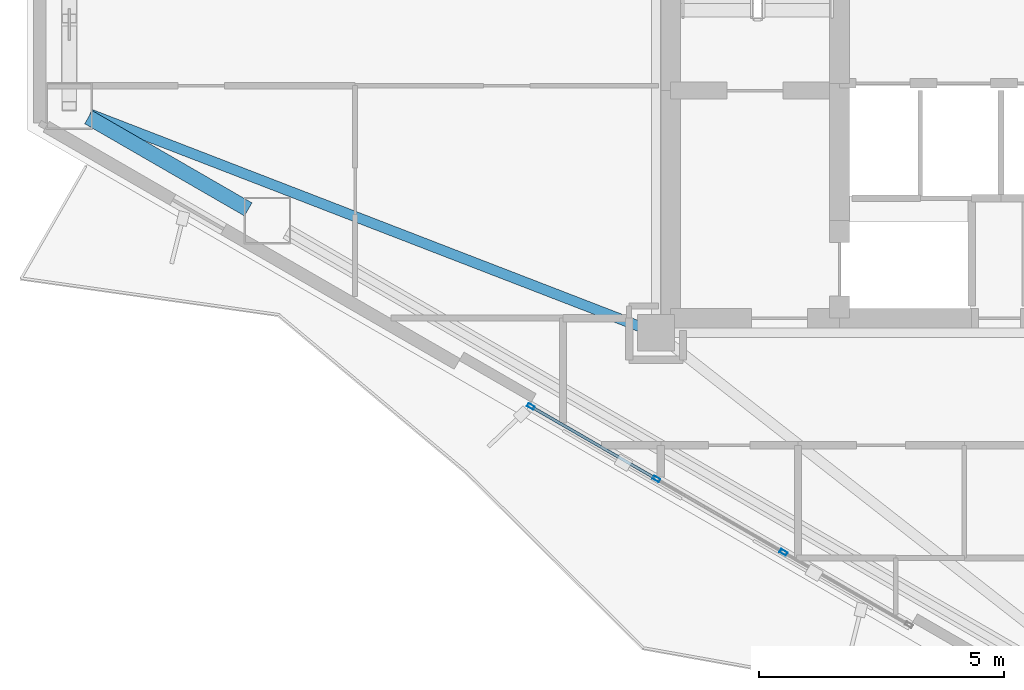
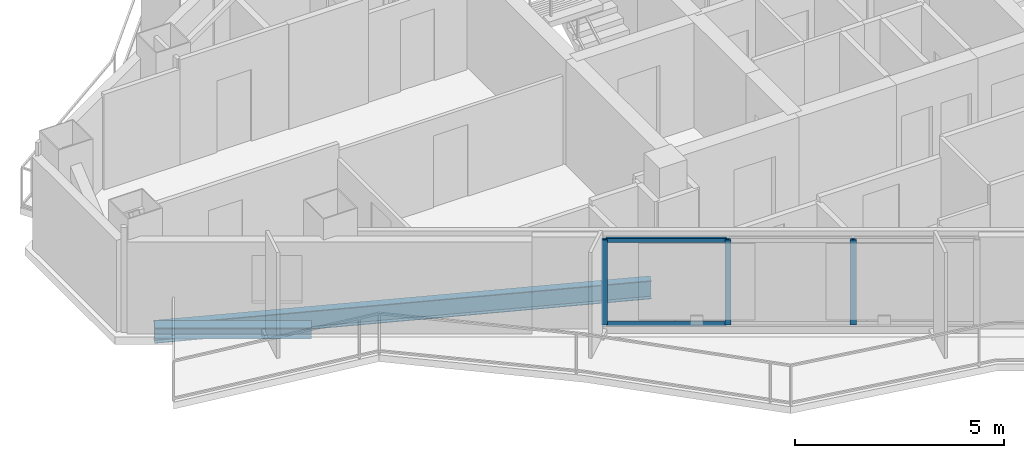
# One storey, part 2 of 22: 5 members, 2 beams, 1 element without a shape of its own.
"""IFC4 building model written with IfcOpenShell, lengths in metres."""

from ifc_helpers import new_model, si_unit, direction, frame, origin, origin_2d, place, context, subcontext, project, spatial, hollow_rectangle, i_section, extrude, material, layer, layer_set, material_profile, profile_set, type_object, element, aggregate, save


model = new_model("IFC4")

# Units and contexts
model_context = context("Model", 3, precision=1e-05, world=origin(), true_north=direction((0.0, 1.0)))
body_context = subcontext(model_context, "Body", "Model", "MODEL_VIEW")
ifc_project = project(units=[si_unit("LENGTHUNIT", "METRE"), si_unit("AREAUNIT", "SQUARE_METRE"), si_unit("VOLUMEUNIT", "CUBIC_METRE"), si_unit("PLANEANGLEUNIT", "RADIAN"), si_unit("MASSUNIT", "GRAM", prefix="KILO")], contexts=[model_context])

# Site, building, storey
site_placement = place(None, origin())
site = spatial("IfcSite", under=ifc_project, at=site_placement, CompositionType="ELEMENT")
building_placement = place(site_placement, origin())
building = spatial("IfcBuilding", under=site, at=building_placement, Name="Mersakhor Tower and Convention Hall", CompositionType="ELEMENT")
storey_placement = place(building_placement, frame((0.0, 0.0, 192.0)))
storey = spatial("IfcBuildingStorey", under=building, at=storey_placement, Name="L53", CompositionType="ELEMENT", Elevation=192.0)

# Beams
ifc_material_1 = material(Name="Steel S355", Category="steel")
ifc_material_profile_1 = material_profile(ifc_material_1, i_section(OverallWidth=0.2099609375, OverallDepth=0.53662109375, WebThickness=0.0107421875, FlangeThickness=0.017333984375, at=origin_2d()), Name="UB 533x210x101")
ifc_profile_set_1 = profile_set([ifc_material_profile_1], Name="Steel S355")
beam_type_1 = type_object("IfcBeamType", Name="BM-FB-533", PredefinedType="BEAM", material=ifc_profile_set_1)
beam_1_placement = place(storey_placement, frame((21.56884765625, 20.577880859375, -0.498291015625), z_axis=(-0.93276514993, 0.360484639167, 0.0), x_axis=(-0.360484639167, -0.93276514993, 0.0)))
element("IfcBeam", 1, at=beam_1_placement, inside=storey, type_object=beam_type_1, Name="L53 Primary Floor Girder FG-6", PredefinedType="BEAM", context=body_context, shape_type="SweptSolid", body=[
    extrude(i_section(OverallWidth=0.2099609375, OverallDepth=0.53662109375, WebThickness=0.0107421875, FlangeThickness=0.017333984375, at=origin_2d()), origin(), (0.0, 0.0, 1.0), 12.047119140625),
])
ifc_material_2 = material(Name="Steel S355", Category="steel")
ifc_material_profile_2 = material_profile(ifc_material_2, i_section(OverallWidth=0.30908203125, OverallDepth=0.320556640625, WebThickness=0.013916015625, FlangeThickness=0.021728515625, at=origin_2d()), Name="UC 305x305x137")
ifc_profile_set_2 = profile_set([ifc_material_profile_2], Name="Steel S355")
beam_type_2 = type_object("IfcBeamType", Name="BM-SPD-UC305", PredefinedType="SPANDREL", material=ifc_profile_set_2)
beam_2_placement = place(storey_placement, frame((13.56591796875, 22.97265625, -0.39013671875), z_axis=(-0.866046450459, 0.499963544319, 0.0), x_axis=(-0.499963544319, -0.866046450459, 0.0)))
element("IfcBeam", 2, at=beam_2_placement, inside=storey, type_object=beam_type_2, Name="L53 Perimeter Spandrel Beam SPB-11", PredefinedType="SPANDREL", context=body_context, shape_type="SweptSolid", body=[
    extrude(i_section(OverallWidth=0.30908203125, OverallDepth=0.320556640625, WebThickness=0.013916015625, FlangeThickness=0.021728515625, at=origin_2d()), origin(), (0.0, 0.0, 1.0), 3.769287109375),
])

# Curtain wall, members
ifc_material_3 = material(Name="Dark solar low-E aluminium curtain wall", Category="aluminium")
ifc_layer = layer(ifc_material_3, 0.169921875)
ifc_layer_set = layer_set([ifc_layer], Name="Dark solar low-E aluminium curtain wall")
curtain_wall_type = type_object("IfcCurtainWallType", Name="CW-SYS-02", PredefinedType="USERDEFINED", material=ifc_layer_set)
curtain_wall_placement = place(storey_placement, origin())
curtain_wall = element("IfcCurtainWall", 3, at=curtain_wall_placement, inside=storey, type_object=curtain_wall_type, Name="L53 Dark-Glass Curtain Wall F3-B2", ObjectType="CURTAIN WALL", PredefinedType="USERDEFINED")
ifc_material_4 = material(Name="Anodised aluminium EN AW-6063 T6", Category="aluminium")
ifc_material_profile_3 = material_profile(ifc_material_4, hollow_rectangle(XDim=0.074951171875, YDim=0.14990234375, WallThickness=0.00634765625, at=origin_2d()), Name="RHS 150x75x6.3")
ifc_profile_set_3 = profile_set([ifc_material_profile_3], Name="Anodised aluminium EN AW-6063 T6")
member_type_1 = type_object("IfcMemberType", Name="CWM-150x75", PredefinedType="MULLION", material=ifc_profile_set_3)
member_1_placement = place(storey_placement, frame((24.504638671875, 15.964111328125, 0.199951171875), z_axis=(0.0, 0.0, 1.0), x_axis=(-0.500007824483, -0.86602088627, 0.0)))
member_1 = element("IfcMember", 4, at=member_1_placement, type_object=member_type_1, Name="CW-02 mullion 2", PredefinedType="MULLION", context=body_context, shape_type="SweptSolid", body=[
    extrude(hollow_rectangle(XDim=0.074951171875, YDim=0.14990234375, WallThickness=0.00634765625, at=origin_2d()), origin(), (0.0, 0.0, 1.0), 2.489990234375),
])
member_2_placement = place(storey_placement, frame((21.906982421875, 17.464111328125, 0.199951171875), z_axis=(0.0, 0.0, 1.0), x_axis=(-0.500007824483, -0.86602088627, 0.0)))
member_2 = element("IfcMember", 5, at=member_2_placement, type_object=member_type_1, Name="CW-02 mullion 3", PredefinedType="MULLION", context=body_context, shape_type="SweptSolid", body=[
    extrude(hollow_rectangle(XDim=0.074951171875, YDim=0.14990234375, WallThickness=0.00634765625, at=origin_2d()), origin(), (0.0, 0.0, 1.0), 2.489990234375),
])
member_3_placement = place(storey_placement, frame((19.341796875, 18.945068359375, 0.199951171875), z_axis=(0.0, 0.0, 1.0), x_axis=(-0.500007824483, -0.86602088627, 0.0)))
member_3 = element("IfcMember", 6, at=member_3_placement, type_object=member_type_1, Name="CW-02 mullion 4", PredefinedType="MULLION", context=body_context, shape_type="SweptSolid", body=[
    extrude(hollow_rectangle(XDim=0.074951171875, YDim=0.14990234375, WallThickness=0.00634765625, at=origin_2d()), origin(), (0.0, 0.0, 1.0), 2.489990234375),
])
ifc_material_5 = material(Name="Anodised aluminium EN AW-6063 T6", Category="aluminium")
ifc_material_profile_4 = material_profile(ifc_material_5, hollow_rectangle(XDim=0.06005859375, YDim=0.1201171875, WallThickness=0.0048828125, at=origin_2d()), Name="RHS 120x60x5")
ifc_profile_set_4 = profile_set([ifc_material_profile_4], Name="Anodised aluminium EN AW-6063 T6")
member_type_2 = type_object("IfcMemberType", Name="CWT-120x60", PredefinedType="USERDEFINED", material=ifc_profile_set_4)
member_4_placement = place(storey_placement, frame((21.87451171875, 17.48291015625, 0.22998046875), z_axis=(-0.86601237176, 0.50002257145, 0.0), x_axis=(-0.50002257145, -0.86601237176, 0.0)))
member_4 = element("IfcMember", 7, at=member_4_placement, type_object=member_type_2, Name="CW-02 transom 3.1", ObjectType="TRANSOM", PredefinedType="USERDEFINED", context=body_context, shape_type="SweptSolid", body=[
    extrude(hollow_rectangle(XDim=0.06005859375, YDim=0.1201171875, WallThickness=0.0048828125, at=origin_2d()), origin(), (0.0, 0.0, 1.0), 2.886962890625),
])
member_5_placement = place(storey_placement, frame((21.87451171875, 17.48291015625, 2.659912109375), z_axis=(-0.86601237176, 0.50002257145, 0.0), x_axis=(-0.50002257145, -0.86601237176, 0.0)))
member_5 = element("IfcMember", 8, at=member_5_placement, type_object=member_type_2, Name="CW-02 transom 3.2", ObjectType="TRANSOM", PredefinedType="USERDEFINED", context=body_context, shape_type="SweptSolid", body=[
    extrude(hollow_rectangle(XDim=0.06005859375, YDim=0.1201171875, WallThickness=0.0048828125, at=origin_2d()), origin(), (0.0, 0.0, 1.0), 2.886962890625),
])
aggregate(curtain_wall, [member_1, member_2, member_3, member_4, member_5])

save(model, "model.ifc")
